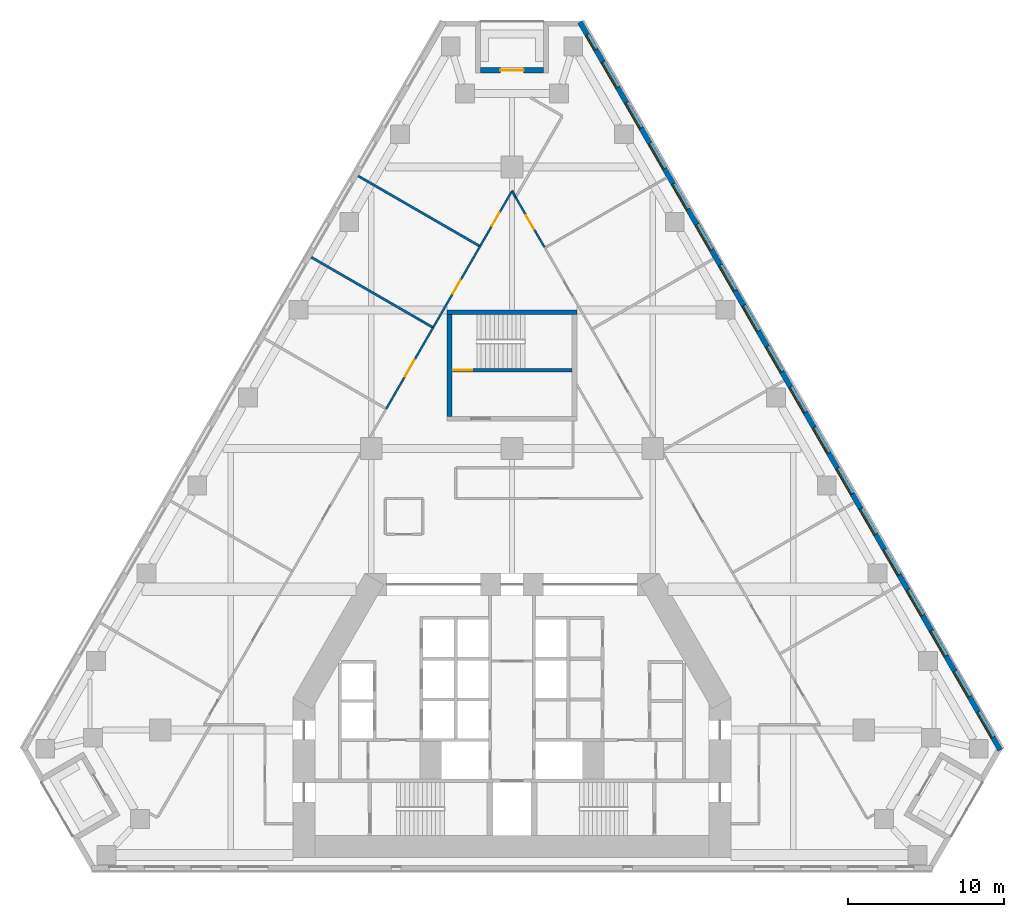
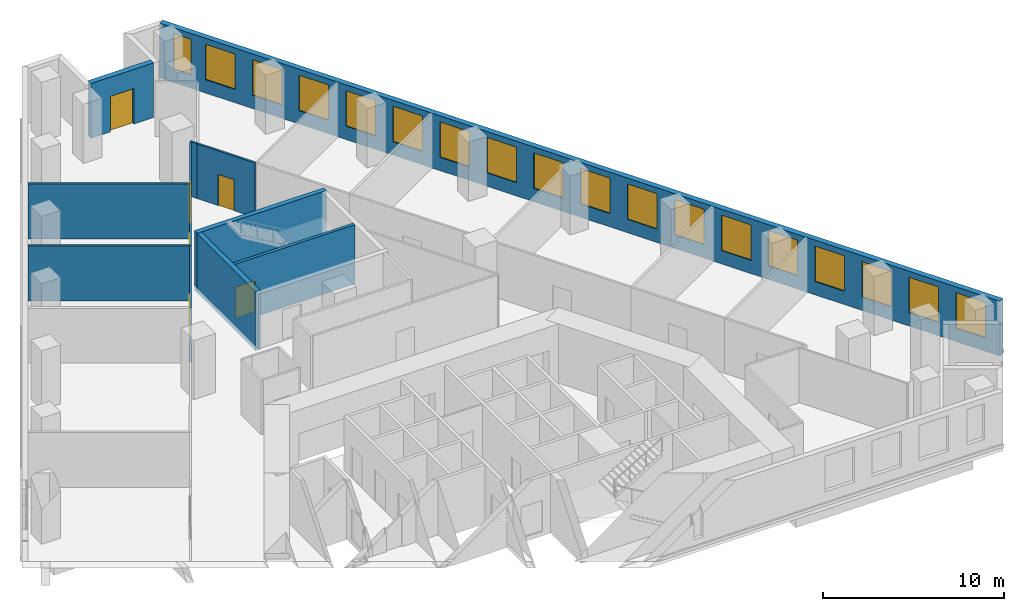
# One storey, part 7 of 9: 18 windows, 12 walls, 6 doors, 24 openings.
"""IFC4 building model written with IfcOpenShell, lengths in metres."""

import ifcopenshell
import ifcopenshell.guid

model = None  # the IFC model being written
_history = None  # IfcOwnerHistory: only IFC2X3 demands one
_inside = {}  # id of a spatial element -> (the spatial element, [elements in it])
_under = {}  # id of a project, library or spatial element -> (it, [spatial elements below it])
_declared = {}  # id of a project -> (the project, [libraries it declares])
_typed = {}  # id of a type object -> (the type object, [elements of that type])
_made_of = {}  # id of a material, layer set ... -> (it, [elements and type objects made of it])


def new_model(schema):
    """Start an empty IFC model of exactly this schema.

    Asked for "IFC4X3", IfcOpenShell would pick the latest addendum, in which some entities
    have other attributes; the version numbers below select the first issue.
    IFC2X3 requires an IfcOwnerHistory on every rooted entity: one is made here for all.
    """
    global model, _history
    if schema == "IFC4X3":
        model = ifcopenshell.file(schema_version=(4, 3, 0, 0))
    else:
        model = ifcopenshell.file(schema=schema)
    _inside.clear()
    _under.clear()
    _declared.clear()
    _typed.clear()
    _made_of.clear()
    _history = None
    if model.schema == "IFC2X3":
        org = make("IfcOrganization", Name="unknown")
        user = make(
            "IfcPersonAndOrganization",
            ThePerson=make("IfcPerson", FamilyName="unknown"),
            TheOrganization=org,
        )
        app = make(
            "IfcApplication",
            ApplicationDeveloper=org,
            Version="unknown",
            ApplicationFullName="unknown",
            ApplicationIdentifier="unknown",
        )
        _history = make(
            "IfcOwnerHistory",
            OwningUser=user,
            OwningApplication=app,
            ChangeAction="ADDED",
            CreationDate=0,
        )
    return model


def make(cls, **values):
    """One entity of the class cls with the attributes given. An attribute that is None is left unset."""
    return model.create_entity(
        cls, **{name: value for name, value in values.items() if value is not None}
    )


def rooted(cls, **values):
    """An entity with a GlobalId (a new one), such as an element, a storey or a relation."""
    return make(cls, GlobalId=ifcopenshell.guid.new(), OwnerHistory=_history, **values)


def si_unit(unit_type, name, prefix=None):
    """IfcSIUnit, for example si_unit("LENGTHUNIT", "METRE", prefix="MILLI")."""
    return make("IfcSIUnit", UnitType=unit_type, Prefix=prefix, Name=name)


def assignment(units):
    """IfcUnitAssignment: the units of a project."""
    return None if units is None else make("IfcUnitAssignment", Units=units)


def point(xyz):
    """IfcCartesianPoint."""
    return None if xyz is None else make("IfcCartesianPoint", Coordinates=xyz)


def direction(xyz):
    """IfcDirection."""
    return None if xyz is None else make("IfcDirection", DirectionRatios=xyz)


def frame(location, z_axis=None, x_axis=None):
    """IfcAxis2Placement3D, a coordinate frame: its origin and axes. An axis left out is left unset."""
    return make(
        "IfcAxis2Placement3D",
        Location=point(location),
        Axis=direction(z_axis),
        RefDirection=direction(x_axis),
    )


def frame_2d(location, x_axis=None):
    """IfcAxis2Placement2D, a coordinate frame in the plane: its origin and x axis."""
    return make(
        "IfcAxis2Placement2D", Location=point(location), RefDirection=direction(x_axis)
    )


def origin():
    """The frame at (0, 0, 0) with its axes left unset."""
    return frame((0.0, 0.0, 0.0))


def place(relative_to, where):
    """IfcLocalPlacement: puts the frame where relative to a parent placement (None: the world)."""
    return make(
        "IfcLocalPlacement", PlacementRelTo=relative_to, RelativePlacement=where
    )


def context(
    kind, dimensions, precision=None, world=None, true_north=None, identifier=None
):
    """IfcGeometricRepresentationContext, for example the 3D "Model" context."""
    return make(
        "IfcGeometricRepresentationContext",
        ContextIdentifier=identifier,
        ContextType=kind,
        CoordinateSpaceDimension=dimensions,
        Precision=precision,
        WorldCoordinateSystem=world,
        TrueNorth=true_north,
    )


def subcontext(parent, identifier, kind, view, scale=None):
    """IfcGeometricRepresentationSubContext, for example "Body" below "Model"."""
    return make(
        "IfcGeometricRepresentationSubContext",
        ContextIdentifier=identifier,
        ContextType=kind,
        ParentContext=parent,
        TargetScale=scale,
        TargetView=view,
    )


def project(units=None, contexts=None):
    """IfcProject with its units and contexts."""
    return rooted(
        "IfcProject",
        Name="project",
        RepresentationContexts=contexts,
        UnitsInContext=assignment(units),
    )


def spatial(cls, under=None, at=None, **own):
    """A site, building, storey or space (cls), placed at a placement, below another one or the project."""
    s = rooted(cls, ObjectPlacement=at, **own)
    if under is not None:
        _under.setdefault(under.id(), (under, []))[1].append(s)
    return s


def profile(cls, at=None, kind="AREA", **sizes):
    """A parametric profile (cls). Its sizes go by their IFC names, for example OverallWidth=200.0."""
    return make(cls, ProfileType=kind, Position=at, **sizes)


def rectangle(**sizes):
    """IfcRectangleProfileDef."""
    return profile("IfcRectangleProfileDef", **sizes)


def extrude(swept, where, along, depth):
    """IfcExtrudedAreaSolid: the profile swept, set in the frame where, extruded along a direction by depth."""
    return make(
        "IfcExtrudedAreaSolid",
        SweptArea=swept,
        Position=where,
        ExtrudedDirection=direction(along),
        Depth=depth,
    )


def shape(context_of_items, identifier, shape_type, items):
    """IfcShapeRepresentation: the items that make up one representation, for example the "Body"."""
    return make(
        "IfcShapeRepresentation",
        ContextOfItems=context_of_items,
        RepresentationIdentifier=identifier,
        RepresentationType=shape_type,
        Items=items,
    )


def material(Name=None, Category=None):
    """IfcMaterial."""
    return make("IfcMaterial", Name=Name, Category=Category)


def layer(
    of_material, thickness, ventilated=None, Name=None, Category=None, Priority=None
):
    """IfcMaterialLayer: one layer of a wall or slab, of a material (None: an air gap)."""
    return make(
        "IfcMaterialLayer",
        Material=of_material,
        LayerThickness=thickness,
        IsVentilated=ventilated,
        Name=Name,
        Category=Category,
        Priority=Priority,
    )


def layer_set(layers, Name=None):
    """IfcMaterialLayerSet."""
    return make("IfcMaterialLayerSet", MaterialLayers=layers, LayerSetName=Name)


def made_of(thing, what):
    """Note that an element or type object is made of a material, layer set ...; save() writes the relation."""
    if what is not None:
        _made_of.setdefault(what.id(), (what, []))[1].append(thing)
    return thing


def type_object(cls, material=None, **own):
    """A type object (cls), such as IfcWallType, which elements share."""
    return made_of(rooted(cls, **own), material)


def element(
    cls,
    number,
    at=None,
    inside=None,
    cuts=None,
    type_object=None,
    material=None,
    context=None,
    identifier="Body",
    shape_type=None,
    held_by="IfcProductDefinitionShape",
    body=None,
    shapes=None,
    **own,
):
    """One element of the class cls, such as IfcWall. Its Tag is "e" and its number.

    at: its placement. inside: the storey or other place that contains it. cuts: it is an
    opening in that element (IfcRelVoidsElement). A single representation is given by context,
    identifier, shape_type and body (its items); several are given by shapes. held_by: the class
    of the entity that holds the representations. save() writes the other relations.
    """
    e = rooted(cls, Tag="e%d" % number, ObjectPlacement=at, **own)
    if body is not None:
        shapes = [shape(context, identifier, shape_type, body)]
    if shapes is not None:
        e.Representation = make(held_by, Representations=shapes)
    if inside is not None:
        _inside.setdefault(inside.id(), (inside, []))[1].append(e)
    if cuts is not None:
        rooted(
            "IfcRelVoidsElement", RelatingBuildingElement=cuts, RelatedOpeningElement=e
        )
    if type_object is not None:
        _typed.setdefault(type_object.id(), (type_object, []))[1].append(e)
    return made_of(e, material)


def fill(opening, filler):
    """IfcRelFillsElement: the door or window that sits in an opening."""
    return rooted(
        "IfcRelFillsElement",
        RelatingOpeningElement=opening,
        RelatedBuildingElement=filler,
    )


def aggregate(whole, parts):
    """IfcRelAggregates: a whole, such as a stair, and the parts it consists of."""
    return rooted("IfcRelAggregates", RelatingObject=whole, RelatedObjects=parts)


def save(model, path):
    """Write the relations noted so far, then the file.

    IfcRelAggregates (storeys below a building ...), IfcRelContainedInSpatialStructure (elements
    in a storey), IfcRelDefinesByType, IfcRelAssociatesMaterial and IfcRelDeclares: one each for
    every whole, place, type object, material and project.
    """
    for whole, parts in _under.values():
        aggregate(whole, parts)
    for where, things in _inside.values():
        rooted(
            "IfcRelContainedInSpatialStructure",
            RelatedElements=things,
            RelatingStructure=where,
        )
    for kind, things in _typed.values():
        rooted("IfcRelDefinesByType", RelatedObjects=things, RelatingType=kind)
    for what, things in _made_of.values():
        rooted("IfcRelAssociatesMaterial", RelatedObjects=things, RelatingMaterial=what)
    for by, libraries in _declared.values():
        rooted("IfcRelDeclares", RelatingContext=by, RelatedDefinitions=libraries)
    model.write(path)


model = new_model("IFC4")

# Units and contexts
model_context = context("Model", 3, precision=1e-05, world=origin(), true_north=direction((0.0, 1.0)))
body_context = subcontext(model_context, "Body", "Model", "MODEL_VIEW")
ifc_project = project(units=[si_unit("LENGTHUNIT", "METRE"), si_unit("AREAUNIT", "SQUARE_METRE"), si_unit("VOLUMEUNIT", "CUBIC_METRE"), si_unit("PLANEANGLEUNIT", "RADIAN"), si_unit("MASSUNIT", "GRAM", prefix="KILO")], contexts=[model_context])

# Site, building, storey
site_placement = place(None, origin())
site = spatial("IfcSite", under=ifc_project, at=site_placement, CompositionType="ELEMENT")
building_placement = place(site_placement, origin())
building = spatial("IfcBuilding", under=site, at=building_placement, Name="Fogline Exchange Tower", CompositionType="ELEMENT")
storey_placement = place(building_placement, frame((0.0, 0.0, 68.89990234375)))
storey = spatial("IfcBuildingStorey", under=building, at=storey_placement, Name="L14", CompositionType="ELEMENT", Elevation=68.89990234375)

# Wall, opening, door
ifc_material_1 = material(Name="Concrete C40", Category="concrete")
ifc_layer_1 = layer(ifc_material_1, 0.199951171875)
ifc_layer_set_1 = layer_set([ifc_layer_1], Name="CW20R")
wall_type_1 = type_object("IfcWallType", Name="CW20R", PredefinedType="SOLIDWALL", material=ifc_layer_set_1)
wall_1_placement = place(storey_placement, frame((-3.85009765625, 32.007080078125, -0.2998046875), z_axis=(0.0, 0.0, 1.0), x_axis=(1.0, 0.0, 0.0)))
wall_1 = element("IfcWall", 1, at=wall_1_placement, inside=storey, type_object=wall_type_1, Name="Stair enclosure wall ST3", PredefinedType="SOLIDWALL", context=body_context, shape_type="SweptSolid", body=[
    extrude(rectangle(XDim=7.7001953125, YDim=0.199951171875, at=frame_2d((3.85009765625, 0.0))), origin(), (0.0, 0.0, 1.0), 4.0),
])
opening_1_placement = place(wall_1_placement, frame((0.10009765625, 0.0, 0.300048828125)))
opening_1 = element("IfcOpeningElement", 2, at=opening_1_placement, cuts=wall_1, Name="Opening T04-C022", PredefinedType="OPENING", context=body_context, shape_type="SweptSolid", body=[
    extrude(rectangle(XDim=1.199951171875, YDim=2.10009765625, at=frame_2d((0.60009765625, 1.050048828125))), frame((0.0, 0.10986328125, 0.0), z_axis=(0.0, -1.0, 0.0), x_axis=(1.0, 0.0, 0.0)), (0.0, 0.0, 1.0), 0.219970703125),
])
ifc_material_2 = material(Name="Steel and timber fire door", Category="steel")
door_type_1 = type_object("IfcDoorType", Name="D-ST1", OperationType="SINGLE_SWING_LEFT", PredefinedType="DOOR", material=ifc_material_2)
door_1_placement = place(opening_1_placement, origin())
door_1 = element("IfcDoor", 3, at=door_1_placement, inside=storey, type_object=door_type_1, Name="Stair door ST3", OperationType="SINGLE_SWING_LEFT", OverallHeight=2.10009765625, OverallWidth=1.199951171875, PredefinedType="DOOR", context=body_context, shape_type="SweptSolid", body=[
    extrude(rectangle(XDim=1.199951171875, YDim=2.10009765625, at=frame_2d((0.60009765625, 1.050048828125))), frame((0.0, 0.02490234375, 0.0), z_axis=(0.0, -1.0, 0.0), x_axis=(1.0, 0.0, 0.0)), (0.0, 0.0, 1.0), 0.050048828125),
])
fill(opening_1, door_1)

# Walls
ifc_layer_2 = layer(ifc_material_1, 0.300048828125)
ifc_layer_set_2 = layer_set([ifc_layer_2], Name="CW30")
wall_type_2 = type_object("IfcWallType", Name="CW30", PredefinedType="SOLIDWALL", material=ifc_layer_set_2)
wall_2_placement = place(storey_placement, frame((-4.14990234375, 35.70703125, -0.2998046875), z_axis=(0.0, 0.0, 1.0), x_axis=(1.0, 0.0, 0.0)))
element("IfcWall", 4, at=wall_2_placement, inside=storey, type_object=wall_type_2, Name="Stair enclosure wall ST3", PredefinedType="SOLIDWALL", context=body_context, shape_type="SweptSolid", body=[
    extrude(rectangle(XDim=8.2998046875, YDim=0.300048828125, at=frame_2d((4.14990234375, 0.0))), origin(), (0.0, 0.0, 1.0), 4.0),
])
wall_3_placement = place(storey_placement, frame((-4.0, 29.056884765625, -0.2998046875), z_axis=(0.0, 0.0, 1.0), x_axis=(0.0, 1.0, 0.0)))
element("IfcWall", 5, at=wall_3_placement, inside=storey, type_object=wall_type_2, Name="Stair enclosure wall ST3", PredefinedType="SOLIDWALL", context=body_context, shape_type="SweptSolid", body=[
    extrude(rectangle(XDim=6.5, YDim=0.300048828125, at=frame_2d((3.25, 0.0))), origin(), (0.0, 0.0, 1.0), 4.0),
])

# Wall, openings, windows
ifc_material_3 = material(Name="Brick masonry", Category="masonry")
ifc_layer_3 = layer(ifc_material_3, 0.340087890625)
ifc_layer_set_3 = layer_set([ifc_layer_3], Name="FW1")
wall_type_3 = type_object("IfcWallType", Name="FW1", PredefinedType="SOLIDWALL", material=ifc_layer_set_3)
wall_4_placement = place(storey_placement, frame((31.235595703125, 7.709228515625, 0.0), z_axis=(0.0, 0.0, 1.0), x_axis=(-0.499999171277, 0.866025882247, 0.0)))
wall_4 = element("IfcWall", 6, at=wall_4_placement, inside=storey, type_object=wall_type_3, Name="Brick wall L14 E", PredefinedType="SOLIDWALL", context=body_context, shape_type="SweptSolid", body=[
    extrude(rectangle(XDim=53.765625, YDim=0.340087890625, at=frame_2d((26.8828125, 0.0))), origin(), (0.0, 0.0, 1.0), 3.7001953125),
])
opening_2_placement = place(wall_4_placement, frame((0.94140625, 0.0, 0.89990234375)))
opening_2 = element("IfcOpeningElement", 7, at=opening_2_placement, cuts=wall_4, Name="Opening W1", PredefinedType="OPENING", context=body_context, shape_type="SweptSolid", body=[
    extrude(rectangle(XDim=1.885009765625, YDim=2.39990234375, at=frame_2d((0.9423828125, 1.199951171875))), frame((0.0, 0.18017578125, 0.0), z_axis=(0.0, -1.0, 0.0), x_axis=(1.0, 0.0, 0.0)), (0.0, 0.0, 1.0), 0.360107421875),
])
opening_3_placement = place(wall_4_placement, frame((3.94140625, 0.0, 0.89990234375)))
opening_3 = element("IfcOpeningElement", 8, at=opening_3_placement, cuts=wall_4, Name="Opening W1", PredefinedType="OPENING", context=body_context, shape_type="SweptSolid", body=[
    extrude(rectangle(XDim=1.885009765625, YDim=2.39990234375, at=frame_2d((0.9423828125, 1.199951171875))), frame((0.0, 0.18017578125, 0.0), z_axis=(0.0, -1.0, 0.0), x_axis=(1.0, 0.0, 0.0)), (0.0, 0.0, 1.0), 0.360107421875),
])
opening_4_placement = place(wall_4_placement, frame((6.94140625, 0.0, 0.89990234375)))
opening_4 = element("IfcOpeningElement", 9, at=opening_4_placement, cuts=wall_4, Name="Opening W1", PredefinedType="OPENING", context=body_context, shape_type="SweptSolid", body=[
    extrude(rectangle(XDim=1.885009765625, YDim=2.39990234375, at=frame_2d((0.9423828125, 1.199951171875))), frame((0.0, 0.18017578125, 0.0), z_axis=(0.0, -1.0, 0.0), x_axis=(1.0, 0.0, 0.0)), (0.0, 0.0, 1.0), 0.360107421875),
])
opening_5_placement = place(wall_4_placement, frame((9.94140625, 0.0, 0.89990234375)))
opening_5 = element("IfcOpeningElement", 10, at=opening_5_placement, cuts=wall_4, Name="Opening W1", PredefinedType="OPENING", context=body_context, shape_type="SweptSolid", body=[
    extrude(rectangle(XDim=1.885009765625, YDim=2.39990234375, at=frame_2d((0.9423828125, 1.199951171875))), frame((0.0, 0.18017578125, 0.0), z_axis=(0.0, -1.0, 0.0), x_axis=(1.0, 0.0, 0.0)), (0.0, 0.0, 1.0), 0.360107421875),
])
opening_6_placement = place(wall_4_placement, frame((12.94140625, 0.0, 0.89990234375)))
opening_6 = element("IfcOpeningElement", 11, at=opening_6_placement, cuts=wall_4, Name="Opening W1", PredefinedType="OPENING", context=body_context, shape_type="SweptSolid", body=[
    extrude(rectangle(XDim=1.885009765625, YDim=2.39990234375, at=frame_2d((0.9423828125, 1.199951171875))), frame((0.0, 0.18017578125, 0.0), z_axis=(0.0, -1.0, 0.0), x_axis=(1.0, 0.0, 0.0)), (0.0, 0.0, 1.0), 0.360107421875),
])
opening_7_placement = place(wall_4_placement, frame((15.94140625, 0.0, 0.89990234375)))
opening_7 = element("IfcOpeningElement", 12, at=opening_7_placement, cuts=wall_4, Name="Opening W1", PredefinedType="OPENING", context=body_context, shape_type="SweptSolid", body=[
    extrude(rectangle(XDim=1.885009765625, YDim=2.39990234375, at=frame_2d((0.9423828125, 1.199951171875))), frame((0.0, 0.18017578125, 0.0), z_axis=(0.0, -1.0, 0.0), x_axis=(1.0, 0.0, 0.0)), (0.0, 0.0, 1.0), 0.360107421875),
])
opening_8_placement = place(wall_4_placement, frame((18.94140625, 0.0, 0.89990234375)))
opening_8 = element("IfcOpeningElement", 13, at=opening_8_placement, cuts=wall_4, Name="Opening W1", PredefinedType="OPENING", context=body_context, shape_type="SweptSolid", body=[
    extrude(rectangle(XDim=1.885009765625, YDim=2.39990234375, at=frame_2d((0.9423828125, 1.199951171875))), frame((0.0, 0.18017578125, 0.0), z_axis=(0.0, -1.0, 0.0), x_axis=(1.0, 0.0, 0.0)), (0.0, 0.0, 1.0), 0.360107421875),
])
opening_9_placement = place(wall_4_placement, frame((21.94140625, 0.0, 0.89990234375)))
opening_9 = element("IfcOpeningElement", 14, at=opening_9_placement, cuts=wall_4, Name="Opening W1", PredefinedType="OPENING", context=body_context, shape_type="SweptSolid", body=[
    extrude(rectangle(XDim=1.885009765625, YDim=2.39990234375, at=frame_2d((0.9423828125, 1.199951171875))), frame((0.0, 0.18017578125, 0.0), z_axis=(0.0, -1.0, 0.0), x_axis=(1.0, 0.0, 0.0)), (0.0, 0.0, 1.0), 0.360107421875),
])
opening_10_placement = place(wall_4_placement, frame((24.94140625, 0.0, 0.89990234375)))
opening_10 = element("IfcOpeningElement", 15, at=opening_10_placement, cuts=wall_4, Name="Opening W1", PredefinedType="OPENING", context=body_context, shape_type="SweptSolid", body=[
    extrude(rectangle(XDim=1.885009765625, YDim=2.39990234375, at=frame_2d((0.9423828125, 1.199951171875))), frame((0.0, 0.18017578125, 0.0), z_axis=(0.0, -1.0, 0.0), x_axis=(1.0, 0.0, 0.0)), (0.0, 0.0, 1.0), 0.360107421875),
])
opening_11_placement = place(wall_4_placement, frame((27.94140625, 0.0, 0.89990234375)))
opening_11 = element("IfcOpeningElement", 16, at=opening_11_placement, cuts=wall_4, Name="Opening W1", PredefinedType="OPENING", context=body_context, shape_type="SweptSolid", body=[
    extrude(rectangle(XDim=1.885009765625, YDim=2.39990234375, at=frame_2d((0.9423828125, 1.199951171875))), frame((0.0, 0.18017578125, 0.0), z_axis=(0.0, -1.0, 0.0), x_axis=(1.0, 0.0, 0.0)), (0.0, 0.0, 1.0), 0.360107421875),
])
opening_12_placement = place(wall_4_placement, frame((30.94140625, 0.0, 0.89990234375)))
opening_12 = element("IfcOpeningElement", 17, at=opening_12_placement, cuts=wall_4, Name="Opening W1", PredefinedType="OPENING", context=body_context, shape_type="SweptSolid", body=[
    extrude(rectangle(XDim=1.885009765625, YDim=2.39990234375, at=frame_2d((0.9423828125, 1.199951171875))), frame((0.0, 0.18017578125, 0.0), z_axis=(0.0, -1.0, 0.0), x_axis=(1.0, 0.0, 0.0)), (0.0, 0.0, 1.0), 0.360107421875),
])
opening_13_placement = place(wall_4_placement, frame((33.94140625, 0.0, 0.89990234375)))
opening_13 = element("IfcOpeningElement", 18, at=opening_13_placement, cuts=wall_4, Name="Opening W1", PredefinedType="OPENING", context=body_context, shape_type="SweptSolid", body=[
    extrude(rectangle(XDim=1.885009765625, YDim=2.39990234375, at=frame_2d((0.9423828125, 1.199951171875))), frame((0.0, 0.18017578125, 0.0), z_axis=(0.0, -1.0, 0.0), x_axis=(1.0, 0.0, 0.0)), (0.0, 0.0, 1.0), 0.360107421875),
])
opening_14_placement = place(wall_4_placement, frame((36.94140625, 0.0, 0.89990234375)))
opening_14 = element("IfcOpeningElement", 19, at=opening_14_placement, cuts=wall_4, Name="Opening W1", PredefinedType="OPENING", context=body_context, shape_type="SweptSolid", body=[
    extrude(rectangle(XDim=1.885009765625, YDim=2.39990234375, at=frame_2d((0.9423828125, 1.199951171875))), frame((0.0, 0.18017578125, 0.0), z_axis=(0.0, -1.0, 0.0), x_axis=(1.0, 0.0, 0.0)), (0.0, 0.0, 1.0), 0.360107421875),
])
opening_15_placement = place(wall_4_placement, frame((39.94140625, 0.0, 0.89990234375)))
opening_15 = element("IfcOpeningElement", 20, at=opening_15_placement, cuts=wall_4, Name="Opening W1", PredefinedType="OPENING", context=body_context, shape_type="SweptSolid", body=[
    extrude(rectangle(XDim=1.885009765625, YDim=2.39990234375, at=frame_2d((0.9423828125, 1.199951171875))), frame((0.0, 0.18017578125, 0.0), z_axis=(0.0, -1.0, 0.0), x_axis=(1.0, 0.0, 0.0)), (0.0, 0.0, 1.0), 0.360107421875),
])
opening_16_placement = place(wall_4_placement, frame((42.94140625, 0.0, 0.89990234375)))
opening_16 = element("IfcOpeningElement", 21, at=opening_16_placement, cuts=wall_4, Name="Opening W1", PredefinedType="OPENING", context=body_context, shape_type="SweptSolid", body=[
    extrude(rectangle(XDim=1.885009765625, YDim=2.39990234375, at=frame_2d((0.9423828125, 1.199951171875))), frame((0.0, 0.18017578125, 0.0), z_axis=(0.0, -1.0, 0.0), x_axis=(1.0, 0.0, 0.0)), (0.0, 0.0, 1.0), 0.360107421875),
])
opening_17_placement = place(wall_4_placement, frame((45.94140625, 0.0, 0.89990234375)))
opening_17 = element("IfcOpeningElement", 22, at=opening_17_placement, cuts=wall_4, Name="Opening W1", PredefinedType="OPENING", context=body_context, shape_type="SweptSolid", body=[
    extrude(rectangle(XDim=1.885009765625, YDim=2.39990234375, at=frame_2d((0.9423828125, 1.199951171875))), frame((0.0, 0.18017578125, 0.0), z_axis=(0.0, -1.0, 0.0), x_axis=(1.0, 0.0, 0.0)), (0.0, 0.0, 1.0), 0.360107421875),
])
opening_18_placement = place(wall_4_placement, frame((48.94140625, 0.0, 0.89990234375)))
opening_18 = element("IfcOpeningElement", 23, at=opening_18_placement, cuts=wall_4, Name="Opening W1", PredefinedType="OPENING", context=body_context, shape_type="SweptSolid", body=[
    extrude(rectangle(XDim=1.885009765625, YDim=2.39990234375, at=frame_2d((0.9423828125, 1.199951171875))), frame((0.0, 0.18017578125, 0.0), z_axis=(0.0, -1.0, 0.0), x_axis=(1.0, 0.0, 0.0)), (0.0, 0.0, 1.0), 0.360107421875),
])
opening_19_placement = place(wall_4_placement, frame((51.738525390625, 0.0, 0.89990234375)))
opening_19 = element("IfcOpeningElement", 24, at=opening_19_placement, cuts=wall_4, Name="Opening W4", PredefinedType="OPENING", context=body_context, shape_type="SweptSolid", body=[
    extrude(rectangle(XDim=1.114990234375, YDim=2.39990234375, at=frame_2d((0.5576171875, 1.199951171875))), frame((0.0, 0.18017578125, 0.0), z_axis=(0.0, -1.0, 0.0), x_axis=(1.0, 0.0, 0.0)), (0.0, 0.0, 1.0), 0.360107421875),
])
ifc_material_4 = material(Name="Aluminium and glass", Category="aluminium")
window_type_1 = type_object("IfcWindowType", Name="W1", PartitioningType="SINGLE_PANEL", PredefinedType="WINDOW", material=ifc_material_4)
window_1_placement = place(opening_2_placement, origin())
window_1 = element("IfcWindow", 25, at=window_1_placement, inside=storey, type_object=window_type_1, Name="W1 W1", OverallHeight=2.39990234375, OverallWidth=1.885009765625, PartitioningType="SINGLE_PANEL", PredefinedType="WINDOW", context=body_context, shape_type="SweptSolid", body=[
    extrude(rectangle(XDim=1.885009765625, YDim=2.39990234375, at=frame_2d((0.9423828125, 1.199951171875))), frame((0.0, 0.110107421875, 0.0), z_axis=(0.0, -1.0, 0.0), x_axis=(1.0, 0.0, 0.0)), (0.0, 0.0, 1.0), 0.06005859375),
])
fill(opening_2, window_1)
window_2_placement = place(opening_3_placement, origin())
window_2 = element("IfcWindow", 26, at=window_2_placement, inside=storey, type_object=window_type_1, Name="W1 W1", OverallHeight=2.39990234375, OverallWidth=1.885009765625, PartitioningType="SINGLE_PANEL", PredefinedType="WINDOW", context=body_context, shape_type="SweptSolid", body=[
    extrude(rectangle(XDim=1.885009765625, YDim=2.39990234375, at=frame_2d((0.9423828125, 1.199951171875))), frame((0.0, 0.110107421875, 0.0), z_axis=(0.0, -1.0, 0.0), x_axis=(1.0, 0.0, 0.0)), (0.0, 0.0, 1.0), 0.06005859375),
])
fill(opening_3, window_2)
window_3_placement = place(opening_4_placement, origin())
window_3 = element("IfcWindow", 27, at=window_3_placement, inside=storey, type_object=window_type_1, Name="W1 W1", OverallHeight=2.39990234375, OverallWidth=1.885009765625, PartitioningType="SINGLE_PANEL", PredefinedType="WINDOW", context=body_context, shape_type="SweptSolid", body=[
    extrude(rectangle(XDim=1.885009765625, YDim=2.39990234375, at=frame_2d((0.9423828125, 1.199951171875))), frame((0.0, 0.110107421875, 0.0), z_axis=(0.0, -1.0, 0.0), x_axis=(1.0, 0.0, 0.0)), (0.0, 0.0, 1.0), 0.06005859375),
])
fill(opening_4, window_3)
window_4_placement = place(opening_5_placement, origin())
window_4 = element("IfcWindow", 28, at=window_4_placement, inside=storey, type_object=window_type_1, Name="W1 W1", OverallHeight=2.39990234375, OverallWidth=1.885009765625, PartitioningType="SINGLE_PANEL", PredefinedType="WINDOW", context=body_context, shape_type="SweptSolid", body=[
    extrude(rectangle(XDim=1.885009765625, YDim=2.39990234375, at=frame_2d((0.9423828125, 1.199951171875))), frame((0.0, 0.110107421875, 0.0), z_axis=(0.0, -1.0, 0.0), x_axis=(1.0, 0.0, 0.0)), (0.0, 0.0, 1.0), 0.06005859375),
])
fill(opening_5, window_4)
window_5_placement = place(opening_6_placement, origin())
window_5 = element("IfcWindow", 29, at=window_5_placement, inside=storey, type_object=window_type_1, Name="W1 W1", OverallHeight=2.39990234375, OverallWidth=1.885009765625, PartitioningType="SINGLE_PANEL", PredefinedType="WINDOW", context=body_context, shape_type="SweptSolid", body=[
    extrude(rectangle(XDim=1.885009765625, YDim=2.39990234375, at=frame_2d((0.9423828125, 1.199951171875))), frame((0.0, 0.110107421875, 0.0), z_axis=(0.0, -1.0, 0.0), x_axis=(1.0, 0.0, 0.0)), (0.0, 0.0, 1.0), 0.06005859375),
])
fill(opening_6, window_5)
window_6_placement = place(opening_7_placement, origin())
window_6 = element("IfcWindow", 30, at=window_6_placement, inside=storey, type_object=window_type_1, Name="W1 W1", OverallHeight=2.39990234375, OverallWidth=1.885009765625, PartitioningType="SINGLE_PANEL", PredefinedType="WINDOW", context=body_context, shape_type="SweptSolid", body=[
    extrude(rectangle(XDim=1.885009765625, YDim=2.39990234375, at=frame_2d((0.9423828125, 1.199951171875))), frame((0.0, 0.110107421875, 0.0), z_axis=(0.0, -1.0, 0.0), x_axis=(1.0, 0.0, 0.0)), (0.0, 0.0, 1.0), 0.06005859375),
])
fill(opening_7, window_6)
window_7_placement = place(opening_8_placement, origin())
window_7 = element("IfcWindow", 31, at=window_7_placement, inside=storey, type_object=window_type_1, Name="W1 W1", OverallHeight=2.39990234375, OverallWidth=1.885009765625, PartitioningType="SINGLE_PANEL", PredefinedType="WINDOW", context=body_context, shape_type="SweptSolid", body=[
    extrude(rectangle(XDim=1.885009765625, YDim=2.39990234375, at=frame_2d((0.9423828125, 1.199951171875))), frame((0.0, 0.110107421875, 0.0), z_axis=(0.0, -1.0, 0.0), x_axis=(1.0, 0.0, 0.0)), (0.0, 0.0, 1.0), 0.06005859375),
])
fill(opening_8, window_7)
window_8_placement = place(opening_9_placement, origin())
window_8 = element("IfcWindow", 32, at=window_8_placement, inside=storey, type_object=window_type_1, Name="W1 W1", OverallHeight=2.39990234375, OverallWidth=1.885009765625, PartitioningType="SINGLE_PANEL", PredefinedType="WINDOW", context=body_context, shape_type="SweptSolid", body=[
    extrude(rectangle(XDim=1.885009765625, YDim=2.39990234375, at=frame_2d((0.9423828125, 1.199951171875))), frame((0.0, 0.110107421875, 0.0), z_axis=(0.0, -1.0, 0.0), x_axis=(1.0, 0.0, 0.0)), (0.0, 0.0, 1.0), 0.06005859375),
])
fill(opening_9, window_8)
window_9_placement = place(opening_10_placement, origin())
window_9 = element("IfcWindow", 33, at=window_9_placement, inside=storey, type_object=window_type_1, Name="W1 W1", OverallHeight=2.39990234375, OverallWidth=1.885009765625, PartitioningType="SINGLE_PANEL", PredefinedType="WINDOW", context=body_context, shape_type="SweptSolid", body=[
    extrude(rectangle(XDim=1.885009765625, YDim=2.39990234375, at=frame_2d((0.9423828125, 1.199951171875))), frame((0.0, 0.110107421875, 0.0), z_axis=(0.0, -1.0, 0.0), x_axis=(1.0, 0.0, 0.0)), (0.0, 0.0, 1.0), 0.06005859375),
])
fill(opening_10, window_9)
window_10_placement = place(opening_11_placement, origin())
window_10 = element("IfcWindow", 34, at=window_10_placement, inside=storey, type_object=window_type_1, Name="W1 W1", OverallHeight=2.39990234375, OverallWidth=1.885009765625, PartitioningType="SINGLE_PANEL", PredefinedType="WINDOW", context=body_context, shape_type="SweptSolid", body=[
    extrude(rectangle(XDim=1.885009765625, YDim=2.39990234375, at=frame_2d((0.9423828125, 1.199951171875))), frame((0.0, 0.110107421875, 0.0), z_axis=(0.0, -1.0, 0.0), x_axis=(1.0, 0.0, 0.0)), (0.0, 0.0, 1.0), 0.06005859375),
])
fill(opening_11, window_10)
window_11_placement = place(opening_12_placement, origin())
window_11 = element("IfcWindow", 35, at=window_11_placement, inside=storey, type_object=window_type_1, Name="W1 W1", OverallHeight=2.39990234375, OverallWidth=1.885009765625, PartitioningType="SINGLE_PANEL", PredefinedType="WINDOW", context=body_context, shape_type="SweptSolid", body=[
    extrude(rectangle(XDim=1.885009765625, YDim=2.39990234375, at=frame_2d((0.9423828125, 1.199951171875))), frame((0.0, 0.110107421875, 0.0), z_axis=(0.0, -1.0, 0.0), x_axis=(1.0, 0.0, 0.0)), (0.0, 0.0, 1.0), 0.06005859375),
])
fill(opening_12, window_11)
window_12_placement = place(opening_13_placement, origin())
window_12 = element("IfcWindow", 36, at=window_12_placement, inside=storey, type_object=window_type_1, Name="W1 W1", OverallHeight=2.39990234375, OverallWidth=1.885009765625, PartitioningType="SINGLE_PANEL", PredefinedType="WINDOW", context=body_context, shape_type="SweptSolid", body=[
    extrude(rectangle(XDim=1.885009765625, YDim=2.39990234375, at=frame_2d((0.9423828125, 1.199951171875))), frame((0.0, 0.110107421875, 0.0), z_axis=(0.0, -1.0, 0.0), x_axis=(1.0, 0.0, 0.0)), (0.0, 0.0, 1.0), 0.06005859375),
])
fill(opening_13, window_12)
window_13_placement = place(opening_14_placement, origin())
window_13 = element("IfcWindow", 37, at=window_13_placement, inside=storey, type_object=window_type_1, Name="W1 W1", OverallHeight=2.39990234375, OverallWidth=1.885009765625, PartitioningType="SINGLE_PANEL", PredefinedType="WINDOW", context=body_context, shape_type="SweptSolid", body=[
    extrude(rectangle(XDim=1.885009765625, YDim=2.39990234375, at=frame_2d((0.9423828125, 1.199951171875))), frame((0.0, 0.110107421875, 0.0), z_axis=(0.0, -1.0, 0.0), x_axis=(1.0, 0.0, 0.0)), (0.0, 0.0, 1.0), 0.06005859375),
])
fill(opening_14, window_13)
window_14_placement = place(opening_15_placement, origin())
window_14 = element("IfcWindow", 38, at=window_14_placement, inside=storey, type_object=window_type_1, Name="W1 W1", OverallHeight=2.39990234375, OverallWidth=1.885009765625, PartitioningType="SINGLE_PANEL", PredefinedType="WINDOW", context=body_context, shape_type="SweptSolid", body=[
    extrude(rectangle(XDim=1.885009765625, YDim=2.39990234375, at=frame_2d((0.9423828125, 1.199951171875))), frame((0.0, 0.110107421875, 0.0), z_axis=(0.0, -1.0, 0.0), x_axis=(1.0, 0.0, 0.0)), (0.0, 0.0, 1.0), 0.06005859375),
])
fill(opening_15, window_14)
window_15_placement = place(opening_16_placement, origin())
window_15 = element("IfcWindow", 39, at=window_15_placement, inside=storey, type_object=window_type_1, Name="W1 W1", OverallHeight=2.39990234375, OverallWidth=1.885009765625, PartitioningType="SINGLE_PANEL", PredefinedType="WINDOW", context=body_context, shape_type="SweptSolid", body=[
    extrude(rectangle(XDim=1.885009765625, YDim=2.39990234375, at=frame_2d((0.9423828125, 1.199951171875))), frame((0.0, 0.110107421875, 0.0), z_axis=(0.0, -1.0, 0.0), x_axis=(1.0, 0.0, 0.0)), (0.0, 0.0, 1.0), 0.06005859375),
])
fill(opening_16, window_15)
window_16_placement = place(opening_17_placement, origin())
window_16 = element("IfcWindow", 40, at=window_16_placement, inside=storey, type_object=window_type_1, Name="W1 W1", OverallHeight=2.39990234375, OverallWidth=1.885009765625, PartitioningType="SINGLE_PANEL", PredefinedType="WINDOW", context=body_context, shape_type="SweptSolid", body=[
    extrude(rectangle(XDim=1.885009765625, YDim=2.39990234375, at=frame_2d((0.9423828125, 1.199951171875))), frame((0.0, 0.110107421875, 0.0), z_axis=(0.0, -1.0, 0.0), x_axis=(1.0, 0.0, 0.0)), (0.0, 0.0, 1.0), 0.06005859375),
])
fill(opening_17, window_16)
window_17_placement = place(opening_18_placement, origin())
window_17 = element("IfcWindow", 41, at=window_17_placement, inside=storey, type_object=window_type_1, Name="W1 W1", OverallHeight=2.39990234375, OverallWidth=1.885009765625, PartitioningType="SINGLE_PANEL", PredefinedType="WINDOW", context=body_context, shape_type="SweptSolid", body=[
    extrude(rectangle(XDim=1.885009765625, YDim=2.39990234375, at=frame_2d((0.9423828125, 1.199951171875))), frame((0.0, 0.110107421875, 0.0), z_axis=(0.0, -1.0, 0.0), x_axis=(1.0, 0.0, 0.0)), (0.0, 0.0, 1.0), 0.06005859375),
])
fill(opening_18, window_17)
window_type_2 = type_object("IfcWindowType", Name="W4", PartitioningType="SINGLE_PANEL", PredefinedType="WINDOW", material=ifc_material_4)
window_18_placement = place(opening_19_placement, origin())
window_18 = element("IfcWindow", 42, at=window_18_placement, inside=storey, type_object=window_type_2, Name="W4 W4", OverallHeight=2.39990234375, OverallWidth=1.114990234375, PartitioningType="SINGLE_PANEL", PredefinedType="WINDOW", context=body_context, shape_type="SweptSolid", body=[
    extrude(rectangle(XDim=1.114990234375, YDim=2.39990234375, at=frame_2d((0.5576171875, 1.199951171875))), frame((0.0, 0.110107421875, 0.0), z_axis=(0.0, -1.0, 0.0), x_axis=(1.0, 0.0, 0.0)), (0.0, 0.0, 1.0), 0.06005859375),
])
fill(opening_19, window_18)

# Wall, opening, door
wall_5_placement = place(storey_placement, frame((2.0, 51.186767578125, 0.0), z_axis=(0.0, 0.0, 1.0), x_axis=(-1.0, 0.0, 0.0)))
wall_5 = element("IfcWall", 43, at=wall_5_placement, inside=storey, type_object=wall_type_3, Name="Brick wall L14 N-bk", PredefinedType="SOLIDWALL", context=body_context, shape_type="SweptSolid", body=[
    extrude(rectangle(XDim=4.0, YDim=0.340087890625, at=frame_2d((2.0, 0.0))), origin(), (0.0, 0.0, 1.0), 3.7001953125),
])
opening_20_placement = place(wall_5_placement, frame((1.25, 0.0, 0.0)))
opening_20 = element("IfcOpeningElement", 44, at=opening_20_placement, cuts=wall_5, Name="Opening T04-E141", PredefinedType="OPENING", context=body_context, shape_type="SweptSolid", body=[
    extrude(rectangle(XDim=1.5, YDim=2.39990234375, at=frame_2d((0.75, 1.199951171875))), frame((0.0, 0.18017578125, 0.0), z_axis=(0.0, -1.0, 0.0), x_axis=(1.0, 0.0, 0.0)), (0.0, 0.0, 1.0), 0.360107421875),
])
door_type_2 = type_object("IfcDoorType", Name="ED4", OperationType="SINGLE_SWING_LEFT", PredefinedType="DOOR", material=ifc_material_4)
door_2_placement = place(opening_20_placement, frame((1.5, 0.0, 0.0), z_axis=(0.0, 0.0, 1.0), x_axis=(-1.0, 0.0, 0.0)))
door_2 = element("IfcDoor", 45, at=door_2_placement, inside=storey, type_object=door_type_2, Name="Balcony door L14 N", OperationType="DOUBLE_DOOR_SINGLE_SWING", OverallHeight=2.39990234375, OverallWidth=1.5, PredefinedType="DOOR", context=body_context, shape_type="SweptSolid", body=[
    extrude(rectangle(XDim=1.5, YDim=2.39990234375, at=frame_2d((0.75, 1.199951171875))), frame((0.0, 0.02490234375, 0.0), z_axis=(0.0, -1.0, 0.0), x_axis=(1.0, 0.0, 0.0)), (0.0, 0.0, 1.0), 0.050048828125),
])
fill(opening_20, door_2)

ifc_material_5 = material(Name="Plasterboard corridor partition with mineral wool, 2 layers each side")
ifc_layer_4 = layer(ifc_material_5, 0.125)
ifc_layer_set_4 = layer_set([ifc_layer_4], Name="PW2")
wall_type_4 = type_object("IfcWallType", Name="PW2", PredefinedType="PARTITIONING", material=ifc_layer_set_4)
wall_6_placement = place(storey_placement, frame((0.23095703125, 43.07080078125, 0.0), z_axis=(0.0, 0.0, 1.0), x_axis=(0.500001035316, -0.866024806044, 0.0)))
wall_6 = element("IfcWall", 46, at=wall_6_placement, inside=storey, type_object=wall_type_4, Name="wall-L14-W013", PredefinedType="PARTITIONING", context=body_context, shape_type="SweptSolid", body=[
    extrude(rectangle(XDim=3.69189453125, YDim=0.125, at=frame_2d((1.845947265625, 0.0))), origin(), (0.0, 0.0, 1.0), 3.7001953125),
])
opening_21_placement = place(wall_6_placement, frame((1.345947265625, 0.0, 0.0)))
opening_21 = element("IfcOpeningElement", 47, at=opening_21_placement, cuts=wall_6, Name="Opening T04-D008", PredefinedType="OPENING", context=body_context, shape_type="SweptSolid", body=[
    extrude(rectangle(XDim=1.0, YDim=2.10009765625, at=frame_2d((0.5, 1.050048828125))), frame((0.0, 0.072509765625, 0.0), z_axis=(0.0, -1.0, 0.0), x_axis=(1.0, 0.0, 0.0)), (0.0, 0.0, 1.0), 0.14501953125),
])
ifc_material_6 = material(Name="Fire-rated timber door leaf with steel frame", Category="steel")
door_type_3 = type_object("IfcDoorType", Name="D3", OperationType="SINGLE_SWING_LEFT", PredefinedType="DOOR", material=ifc_material_6)
door_3_placement = place(opening_21_placement, origin())
door_3 = element("IfcDoor", 48, at=door_3_placement, inside=storey, type_object=door_type_3, Name="door-L14-D008", OperationType="SINGLE_SWING_LEFT", OverallHeight=2.10009765625, OverallWidth=1.0, PredefinedType="DOOR", context=body_context, shape_type="SweptSolid", body=[
    extrude(rectangle(XDim=1.0, YDim=2.10009765625, at=frame_2d((0.5, 1.050048828125))), frame((0.0, 0.02490234375, 0.0), z_axis=(0.0, -1.0, 0.0), x_axis=(1.0, 0.0, 0.0)), (0.0, 0.0, 1.0), 0.050048828125),
])
fill(opening_21, door_3)

wall_7_placement = place(storey_placement, frame((-2.044677734375, 39.929443359375, 0.0), z_axis=(0.0, 0.0, 1.0), x_axis=(0.499991453095, 0.866030338286, 0.0)))
wall_7 = element("IfcWall", 49, at=wall_7_placement, inside=storey, type_object=wall_type_4, Name="wall-L14-W014", PredefinedType="PARTITIONING", context=body_context, shape_type="SweptSolid", body=[
    extrude(rectangle(XDim=3.98046875, YDim=0.125, at=frame_2d((1.990234375, 0.0))), origin(), (0.0, 0.0, 1.0), 3.7001953125),
])
opening_22_placement = place(wall_7_placement, frame((1.490234375, 0.0, 0.0)))
opening_22 = element("IfcOpeningElement", 50, at=opening_22_placement, cuts=wall_7, Name="Opening T04-D009", PredefinedType="OPENING", context=body_context, shape_type="SweptSolid", body=[
    extrude(rectangle(XDim=1.0, YDim=2.10009765625, at=frame_2d((0.5, 1.050048828125))), frame((0.0, 0.072509765625, 0.0), z_axis=(0.0, -1.0, 0.0), x_axis=(1.0, 0.0, 0.0)), (0.0, 0.0, 1.0), 0.14501953125),
])
door_4_placement = place(opening_22_placement, origin())
door_4 = element("IfcDoor", 51, at=door_4_placement, inside=storey, type_object=door_type_3, Name="door-L14-D009", OperationType="SINGLE_SWING_RIGHT", OverallHeight=2.10009765625, OverallWidth=1.0, PredefinedType="DOOR", context=body_context, shape_type="SweptSolid", body=[
    extrude(rectangle(XDim=1.0, YDim=2.10009765625, at=frame_2d((0.5, 1.050048828125))), frame((0.0, 0.02490234375, 0.0), z_axis=(0.0, -1.0, 0.0), x_axis=(1.0, 0.0, 0.0)), (0.0, 0.0, 1.0), 0.050048828125),
])
fill(opening_22, door_4)

# Wall
wall_8_placement = place(storey_placement, frame((0.0, 43.470947265625, 0.0), z_axis=(0.0, 0.0, 1.0), x_axis=(0.499890179513, -0.866088799389, 0.0)))
element("IfcWall", 52, at=wall_8_placement, inside=storey, type_object=wall_type_4, Name="wall-L14-W015", PredefinedType="PARTITIONING", context=body_context, shape_type="SweptSolid", body=[
    extrude(rectangle(XDim=0.4619140625, YDim=0.125, at=frame_2d((0.23095703125, 0.0))), origin(), (0.0, 0.0, 1.0), 3.7001953125),
])

# Wall, opening, door
wall_9_placement = place(storey_placement, frame((-5.044677734375, 34.733154296875, 0.0), z_axis=(0.0, 0.0, 1.0), x_axis=(0.499990139034, 0.866031096941, 0.0)))
wall_9 = element("IfcWall", 53, at=wall_9_placement, inside=storey, type_object=wall_type_4, Name="wall-L14-W016", PredefinedType="PARTITIONING", context=body_context, shape_type="SweptSolid", body=[
    extrude(rectangle(XDim=6.0, YDim=0.125, at=frame_2d((3.0, 0.0))), origin(), (0.0, 0.0, 1.0), 3.7001953125),
])
opening_23_placement = place(wall_9_placement, frame((2.5, 0.0, 0.0)))
opening_23 = element("IfcOpeningElement", 54, at=opening_23_placement, cuts=wall_9, Name="Opening T04-D010", PredefinedType="OPENING", context=body_context, shape_type="SweptSolid", body=[
    extrude(rectangle(XDim=1.0, YDim=2.10009765625, at=frame_2d((0.5, 1.050048828125))), frame((0.0, 0.072509765625, 0.0), z_axis=(0.0, -1.0, 0.0), x_axis=(1.0, 0.0, 0.0)), (0.0, 0.0, 1.0), 0.14501953125),
])
door_5_placement = place(opening_23_placement, origin())
door_5 = element("IfcDoor", 55, at=door_5_placement, inside=storey, type_object=door_type_3, Name="door-L14-D010", OperationType="SINGLE_SWING_LEFT", OverallHeight=2.10009765625, OverallWidth=1.0, PredefinedType="DOOR", context=body_context, shape_type="SweptSolid", body=[
    extrude(rectangle(XDim=1.0, YDim=2.10009765625, at=frame_2d((0.5, 1.050048828125))), frame((0.0, 0.02490234375, 0.0), z_axis=(0.0, -1.0, 0.0), x_axis=(1.0, 0.0, 0.0)), (0.0, 0.0, 1.0), 0.050048828125),
])
fill(opening_23, door_5)

wall_10_placement = place(storey_placement, frame((-8.044677734375, 29.537109375, 0.0), z_axis=(0.0, 0.0, 1.0), x_axis=(0.500007758305, 0.866020924479, 0.0)))
wall_10 = element("IfcWall", 56, at=wall_10_placement, inside=storey, type_object=wall_type_4, Name="wall-L14-W017", PredefinedType="PARTITIONING", context=body_context, shape_type="SweptSolid", body=[
    extrude(rectangle(XDim=6.0, YDim=0.125, at=frame_2d((3.0, 0.0))), origin(), (0.0, 0.0, 1.0), 3.7001953125),
])
opening_24_placement = place(wall_10_placement, frame((2.39990234375, 0.0, 0.0)))
opening_24 = element("IfcOpeningElement", 57, at=opening_24_placement, cuts=wall_10, Name="Opening T04-D011", PredefinedType="OPENING", context=body_context, shape_type="SweptSolid", body=[
    extrude(rectangle(XDim=1.199951171875, YDim=2.10009765625, at=frame_2d((0.60009765625, 1.050048828125))), frame((0.0, 0.072509765625, 0.0), z_axis=(0.0, -1.0, 0.0), x_axis=(1.0, 0.0, 0.0)), (0.0, 0.0, 1.0), 0.14501953125),
])
ifc_material_7 = material(Name="Fire-rated glazed door leaf with steel frame", Category="steel")
door_type_4 = type_object("IfcDoorType", Name="D5", OperationType="SINGLE_SWING_LEFT", PredefinedType="DOOR", material=ifc_material_7)
door_6_placement = place(opening_24_placement, origin())
door_6 = element("IfcDoor", 58, at=door_6_placement, inside=storey, type_object=door_type_4, Name="door-L14-D011", OperationType="SINGLE_SWING_RIGHT", OverallHeight=2.10009765625, OverallWidth=1.199951171875, PredefinedType="DOOR", context=body_context, shape_type="SweptSolid", body=[
    extrude(rectangle(XDim=1.199951171875, YDim=2.10009765625, at=frame_2d((0.60009765625, 1.050048828125))), frame((0.0, 0.02490234375, 0.0), z_axis=(0.0, -1.0, 0.0), x_axis=(1.0, 0.0, 0.0)), (0.0, 0.0, 1.0), 0.050048828125),
])
fill(opening_24, door_6)

# Walls
ifc_material_8 = material(Name="Plasterboard demising partition with mineral wool and acoustic board")
ifc_layer_5 = layer(ifc_material_8, 0.14990234375)
ifc_layer_set_5 = layer_set([ifc_layer_5], Name="PW3")
wall_type_5 = type_object("IfcWallType", Name="PW3", PredefinedType="PARTITIONING", material=ifc_layer_set_5)
for number, where, z_axis, x_axis, name in (
    (59, (-2.098876953125, 39.960693359375, 0.0), (0.0, 0.0, 1.0), (-0.866022276127, 0.500005417223, 0.0), "wall-L14-W040"),
    (60, (-5.098876953125, 34.764404296875, 0.0), (0.0, 0.0, 1.0), (-0.866022276127, 0.500005417223, 0.0), "wall-L14-W041"),
):
    element("IfcWall", number, at=place(storey_placement, frame(where, z_axis=z_axis, x_axis=x_axis)), inside=storey, type_object=wall_type_5, Name=name, PredefinedType="PARTITIONING", context=body_context, shape_type="SweptSolid", body=[
        extrude(rectangle(XDim=8.9375, YDim=0.14990234375, at=frame_2d((4.46875, 0.0))), origin(), (0.0, 0.0, 1.0), 3.7001953125),
    ])

save(model, "model.ifc")
